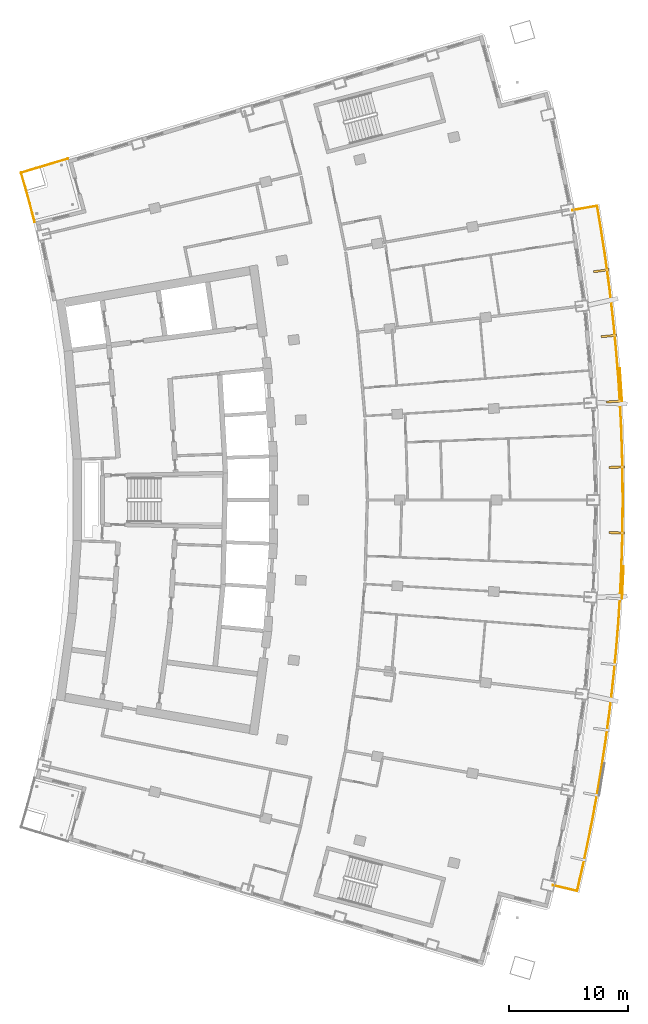
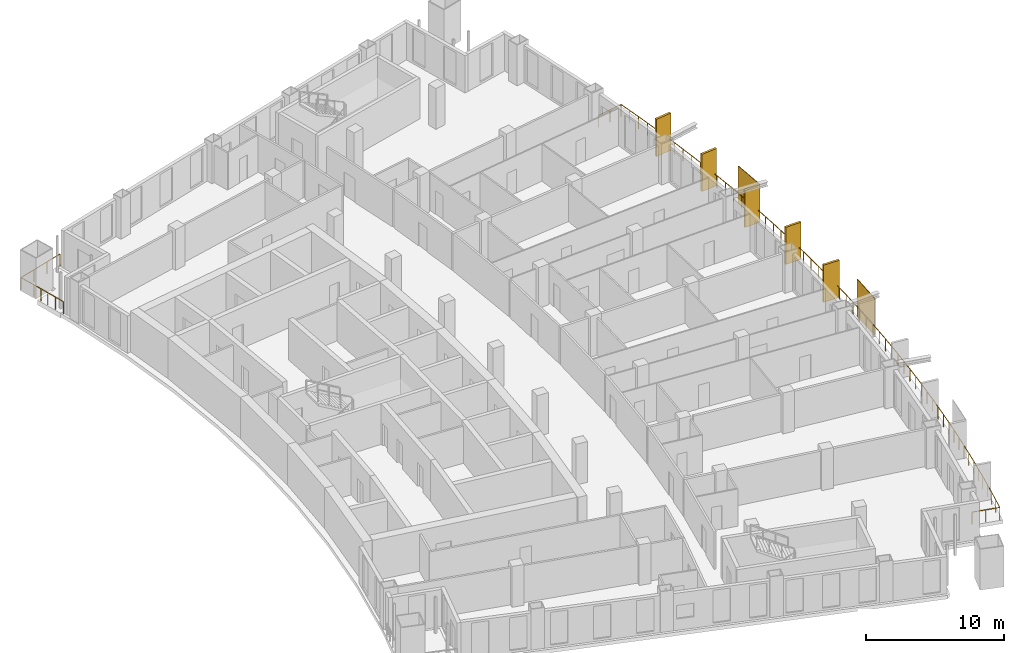
# One storey, part 19 of 20: 7 shading devices, 2 railings.
"""IFC4 building model written with IfcOpenShell, lengths in metres."""

from ifc_helpers import new_model, si_unit, direction, frame, origin, origin_2d, place, context, subcontext, project, spatial, rectangle, extrude, material, layer, layer_set, type_object, element, save


model = new_model("IFC4")

# Units and contexts
model_context = context("Model", 3, precision=1e-05, world=origin(), true_north=direction((0.0, 1.0)))
body_context = subcontext(model_context, "Body", "Model", "MODEL_VIEW")
ifc_project = project(units=[si_unit("LENGTHUNIT", "METRE"), si_unit("AREAUNIT", "SQUARE_METRE"), si_unit("VOLUMEUNIT", "CUBIC_METRE"), si_unit("PLANEANGLEUNIT", "RADIAN"), si_unit("MASSUNIT", "GRAM", prefix="KILO")], contexts=[model_context])

# Site, building, storey
site_placement = place(None, origin())
site = spatial("IfcSite", under=ifc_project, at=site_placement, CompositionType="ELEMENT")
building_placement = place(site_placement, origin())
building = spatial("IfcBuilding", under=site, at=building_placement, Name="Alderwake Tower", CompositionType="ELEMENT")
storey_placement = place(building_placement, frame((0.0, 0.0, 142.39990234375)))
storey = spatial("IfcBuildingStorey", under=building, at=storey_placement, Name="L34", CompositionType="ELEMENT", Elevation=142.39990234375)

# Railings
ifc_material_1 = material(Name="Stainless steel 316 rail and posts", Category="steel")
railing_type = type_object("IfcRailingType", Name="Balcony guard 1100", PredefinedType="GUARDRAIL", material=ifc_material_1)
railing_1_placement = place(storey_placement, frame((56.8125, 28.586181640625, 0.0)))
element("IfcRailing", 1, at=railing_1_placement, inside=storey, type_object=railing_type, Name="Guard BF03", PredefinedType="GUARDRAIL", context=body_context, shape_type="SweptSolid", body=[
    extrude(rectangle(XDim=0.048095703125, YDim=0.048095703125, at=origin_2d()), frame((0.0, 0.0, 1.076171875), z_axis=(0.973043917075, -0.230619893857, 0.0), x_axis=(0.230619893857, 0.973043917075, 0.0)), (0.0, 0.0, 1.0), 2.100341796875),
    extrude(rectangle(XDim=0.048095703125, YDim=0.048095703125, at=origin_2d()), frame((2.043701171875, -0.484375, 1.076171875), z_axis=(0.223671299969, 0.97466463441, 0.0), x_axis=(-0.97466463441, 0.223671299969, 0.0)), (0.0, 0.0, 1.0), 1.981201171875),
    extrude(rectangle(XDim=0.048095703125, YDim=0.048095703125, at=origin_2d()), frame((2.48681640625, 1.446533203125, 1.076171875), z_axis=(0.209881600891, 0.977726809292, 0.0), x_axis=(-0.977726809292, 0.209881600891, 0.0)), (0.0, 0.0, 1.0), 2.0810546875),
    extrude(rectangle(XDim=0.048095703125, YDim=0.048095703125, at=origin_2d()), frame((2.923583984375, 3.481201171875, 1.076171875), z_axis=(0.195687452224, 0.98066631483, 0.0), x_axis=(-0.98066631483, 0.195687452224, 0.0)), (0.0, 0.0, 1.0), 2.0810546875),
    extrude(rectangle(XDim=0.048095703125, YDim=0.048095703125, at=origin_2d()), frame((3.330810546875, 5.52197265625, 1.076171875), z_axis=(0.18124901902, 0.983437233942, 0.0), x_axis=(-0.983437233942, 0.18124901902, 0.0)), (0.0, 0.0, 1.0), 2.0810546875),
    extrude(rectangle(XDim=0.048095703125, YDim=0.048095703125, at=origin_2d()), frame((3.7080078125, 7.568603515625, 1.076171875), z_axis=(0.166947791992, 0.985965737107, 0.0), x_axis=(-0.985965737107, 0.166947791992, 0.0)), (0.0, 0.0, 1.0), 2.0810546875),
    extrude(rectangle(XDim=0.048095703125, YDim=0.048095703125, at=origin_2d()), frame((4.055419921875, 9.620361328125, 1.076171875), z_axis=(0.15251559628, 0.988301063893, 0.0), x_axis=(-0.988301063893, 0.15251559628, 0.0)), (0.0, 0.0, 1.0), 2.0810546875),
    extrude(rectangle(XDim=0.048095703125, YDim=0.048095703125, at=origin_2d()), frame((4.372802734375, 11.677001953125, 1.076171875), z_axis=(0.13807026034, 0.990422436746, 0.0), x_axis=(-0.990422436746, 0.13807026034, 0.0)), (0.0, 0.0, 1.0), 2.081298828125),
    extrude(rectangle(XDim=0.048095703125, YDim=0.048095703125, at=origin_2d()), frame((4.66015625, 13.73828125, 1.076171875), z_axis=(0.123659289538, 0.992324735211, 0.0), x_axis=(-0.992324735211, 0.123659289538, 0.0)), (0.0, 0.0, 1.0), 2.080810546875),
    extrude(rectangle(XDim=0.048095703125, YDim=0.048095703125, at=origin_2d()), frame((4.91748046875, 15.80322265625, 1.076171875), z_axis=(0.109105169011, 0.994030211862, 0.0), x_axis=(-0.994030211862, 0.109105169011, 0.0)), (0.0, 0.0, 1.0), 2.0810546875),
    extrude(rectangle(XDim=0.048095703125, YDim=0.048095703125, at=origin_2d()), frame((5.14453125, 17.871826171875, 1.076171875), z_axis=(0.094670690051, 0.995508644084, 0.0), x_axis=(-0.995508644084, 0.094670690051, 0.0)), (0.0, 0.0, 1.0), 2.0810546875),
    extrude(rectangle(XDim=0.048095703125, YDim=0.048095703125, at=origin_2d()), frame((5.341552734375, 19.943603515625, 1.076171875), z_axis=(0.080132254725, 0.996784240321, 0.0), x_axis=(-0.996784240321, 0.080132254725, 0.0)), (0.0, 0.0, 1.0), 2.080810546875),
    extrude(rectangle(XDim=0.048095703125, YDim=0.048095703125, at=origin_2d()), frame((5.50830078125, 22.017822265625, 1.076171875), z_axis=(0.065576859199, 0.997847521186, 0.0), x_axis=(-0.997847521186, 0.065576859199, 0.0)), (0.0, 0.0, 1.0), 2.0810546875),
    extrude(rectangle(XDim=0.048095703125, YDim=0.048095703125, at=origin_2d()), frame((5.644775390625, 24.094482421875, 1.076171875), z_axis=(0.051037720387, 0.998696726288, 0.0), x_axis=(-0.998696726288, 0.051037720387, 0.0)), (0.0, 0.0, 1.0), 2.080810546875),
    extrude(rectangle(XDim=0.048095703125, YDim=0.048095703125, at=origin_2d()), frame((5.7509765625, 26.172607421875, 1.076171875), z_axis=(0.036486606972, 0.999334142072, 0.0), x_axis=(-0.999334142072, 0.036486606972, 0.0)), (0.0, 0.0, 1.0), 2.0810546875),
    extrude(rectangle(XDim=0.048095703125, YDim=0.048095703125, at=origin_2d()), frame((5.826904296875, 28.252197265625, 1.076171875), z_axis=(0.021820665756, 0.999761900927, 0.0), x_axis=(-0.999761900927, 0.021820665756, 0.0)), (0.0, 0.0, 1.0), 2.0810546875),
    extrude(rectangle(XDim=0.048095703125, YDim=0.048095703125, at=origin_2d()), frame((5.872314453125, 30.332763671875, 1.076171875), z_axis=(0.007273388082, 0.999973548563, 0.0), x_axis=(-0.999973548563, 0.007273388082, 0.0)), (0.0, 0.0, 1.0), 2.0810546875),
    extrude(rectangle(XDim=0.048095703125, YDim=0.048095703125, at=origin_2d()), frame((5.887451171875, 32.413818359375, 1.076171875), z_axis=(-0.007273388082, 0.999973548563, 0.0), x_axis=(-0.999973548563, -0.007273388082, 0.0)), (0.0, 0.0, 1.0), 2.0810546875),
    extrude(rectangle(XDim=0.048095703125, YDim=0.048095703125, at=origin_2d()), frame((5.872314453125, 34.494873046875, 1.076171875), z_axis=(-0.021820665756, 0.999761900927, 0.0), x_axis=(-0.999761900927, -0.021820665756, 0.0)), (0.0, 0.0, 1.0), 2.0810546875),
    extrude(rectangle(XDim=0.048095703125, YDim=0.048095703125, at=origin_2d()), frame((5.826904296875, 36.575439453125, 1.076171875), z_axis=(-0.036486606972, 0.999334142072, 0.0), x_axis=(-0.999334142072, -0.036486606972, 0.0)), (0.0, 0.0, 1.0), 2.0810546875),
    extrude(rectangle(XDim=0.048095703125, YDim=0.048095703125, at=origin_2d()), frame((5.7509765625, 38.655029296875, 1.076171875), z_axis=(-0.051037720387, 0.998696726288, 0.0), x_axis=(-0.998696726288, -0.051037720387, 0.0)), (0.0, 0.0, 1.0), 2.080810546875),
    extrude(rectangle(XDim=0.048095703125, YDim=0.048095703125, at=origin_2d()), frame((5.644775390625, 40.733154296875, 1.076171875), z_axis=(-0.065576859199, 0.997847521186, 0.0), x_axis=(-0.997847521186, -0.065576859199, 0.0)), (0.0, 0.0, 1.0), 2.0810546875),
    extrude(rectangle(XDim=0.048095703125, YDim=0.048095703125, at=origin_2d()), frame((5.50830078125, 42.809814453125, 1.076171875), z_axis=(-0.080132254725, 0.996784240321, 0.0), x_axis=(-0.996784240321, -0.080132254725, 0.0)), (0.0, 0.0, 1.0), 2.080810546875),
    extrude(rectangle(XDim=0.048095703125, YDim=0.048095703125, at=origin_2d()), frame((5.341552734375, 44.884033203125, 1.076171875), z_axis=(-0.094670690051, 0.995508644084, 0.0), x_axis=(-0.995508644084, -0.094670690051, 0.0)), (0.0, 0.0, 1.0), 2.0810546875),
    extrude(rectangle(XDim=0.048095703125, YDim=0.048095703125, at=origin_2d()), frame((5.14453125, 46.955810546875, 1.076171875), z_axis=(-0.109105169011, 0.994030211862, 0.0), x_axis=(-0.994030211862, -0.109105169011, 0.0)), (0.0, 0.0, 1.0), 2.0810546875),
    extrude(rectangle(XDim=0.048095703125, YDim=0.048095703125, at=origin_2d()), frame((4.91748046875, 49.0244140625, 1.076171875), z_axis=(-0.123659289538, 0.992324735211, 0.0), x_axis=(-0.992324735211, -0.123659289538, 0.0)), (0.0, 0.0, 1.0), 2.080810546875),
    extrude(rectangle(XDim=0.048095703125, YDim=0.048095703125, at=origin_2d()), frame((4.66015625, 51.08935546875, 1.076171875), z_axis=(-0.13807026034, 0.990422436746, 0.0), x_axis=(-0.990422436746, -0.13807026034, 0.0)), (0.0, 0.0, 1.0), 2.081298828125),
    extrude(rectangle(XDim=0.048095703125, YDim=0.048095703125, at=origin_2d()), frame((4.372802734375, 53.150634765625, 1.076171875), z_axis=(-0.15251559628, 0.988301063893, 0.0), x_axis=(-0.988301063893, -0.15251559628, 0.0)), (0.0, 0.0, 1.0), 2.0810546875),
    extrude(rectangle(XDim=0.048095703125, YDim=0.048095703125, at=origin_2d()), frame((4.055419921875, 55.207275390625, 1.076171875), z_axis=(-0.166616843168, 0.986021717597, 0.0), x_axis=(-0.986021717597, -0.166616843168, 0.0)), (0.0, 0.0, 1.0), 1.98095703125),
    extrude(rectangle(XDim=0.048095703125, YDim=0.048095703125, at=origin_2d()), frame((3.725341796875, 57.16064453125, 1.076171875), z_axis=(-0.984840855066, -0.173460341844, 0.0), x_axis=(0.173460341844, -0.984840855066, 0.0)), (0.0, 0.0, 1.0), 2.099853515625),
    extrude(rectangle(XDim=0.0419921875, YDim=0.0419921875, at=origin_2d()), frame((0.0, 0.0, 0.0), z_axis=(0.0, 0.0, 1.0), x_axis=(0.973043917075, -0.230619893857, 0.0)), (0.0, 0.0, 1.0), 1.052001953125),
    extrude(rectangle(XDim=0.0419921875, YDim=0.0419921875, at=origin_2d()), frame((1.02197265625, -0.2421875, 0.0), z_axis=(0.0, 0.0, 1.0), x_axis=(0.973043917075, -0.230619893857, 0.0)), (0.0, 0.0, 1.0), 1.052001953125),
    extrude(rectangle(XDim=0.0419921875, YDim=0.0419921875, at=origin_2d()), frame((2.043701171875, -0.484375, 0.0), z_axis=(0.0, 0.0, 1.0), x_axis=(0.223671299969, 0.97466463441, 0.0)), (0.0, 0.0, 1.0), 1.052001953125),
    extrude(rectangle(XDim=0.0419921875, YDim=0.0419921875, at=origin_2d()), frame((2.26513671875, 0.48095703125, 0.0), z_axis=(0.0, 0.0, 1.0), x_axis=(0.223671299969, 0.97466463441, 0.0)), (0.0, 0.0, 1.0), 1.052001953125),
    extrude(rectangle(XDim=0.0419921875, YDim=0.0419921875, at=origin_2d()), frame((2.48681640625, 1.446533203125, 0.0), z_axis=(0.0, 0.0, 1.0), x_axis=(0.209881600891, 0.977726809292, 0.0)), (0.0, 0.0, 1.0), 1.052001953125),
    extrude(rectangle(XDim=0.0419921875, YDim=0.0419921875, at=origin_2d()), frame((2.705078125, 2.4638671875, 0.0), z_axis=(0.0, 0.0, 1.0), x_axis=(0.209881600891, 0.977726809292, 0.0)), (0.0, 0.0, 1.0), 1.052001953125),
    extrude(rectangle(XDim=0.0419921875, YDim=0.0419921875, at=origin_2d()), frame((2.923583984375, 3.481201171875, 0.0), z_axis=(0.0, 0.0, 1.0), x_axis=(0.195687452224, 0.98066631483, 0.0)), (0.0, 0.0, 1.0), 1.052001953125),
    extrude(rectangle(XDim=0.0419921875, YDim=0.0419921875, at=origin_2d()), frame((3.127197265625, 4.50146484375, 0.0), z_axis=(0.0, 0.0, 1.0), x_axis=(0.195687452224, 0.98066631483, 0.0)), (0.0, 0.0, 1.0), 1.052001953125),
    extrude(rectangle(XDim=0.0419921875, YDim=0.0419921875, at=origin_2d()), frame((3.330810546875, 5.52197265625, 0.0), z_axis=(0.0, 0.0, 1.0), x_axis=(0.18124901902, 0.983437233942, 0.0)), (0.0, 0.0, 1.0), 1.052001953125),
    extrude(rectangle(XDim=0.0419921875, YDim=0.0419921875, at=origin_2d()), frame((3.51953125, 6.54541015625, 0.0), z_axis=(0.0, 0.0, 1.0), x_axis=(0.18124901902, 0.983437233942, 0.0)), (0.0, 0.0, 1.0), 1.052001953125),
    extrude(rectangle(XDim=0.0419921875, YDim=0.0419921875, at=origin_2d()), frame((3.7080078125, 7.568603515625, 0.0), z_axis=(0.0, 0.0, 1.0), x_axis=(0.166947791992, 0.985965737107, 0.0)), (0.0, 0.0, 1.0), 1.052001953125),
    extrude(rectangle(XDim=0.0419921875, YDim=0.0419921875, at=origin_2d()), frame((3.8818359375, 8.594482421875, 0.0), z_axis=(0.0, 0.0, 1.0), x_axis=(0.166947791992, 0.985965737107, 0.0)), (0.0, 0.0, 1.0), 1.052001953125),
    extrude(rectangle(XDim=0.0419921875, YDim=0.0419921875, at=origin_2d()), frame((4.055419921875, 9.620361328125, 0.0), z_axis=(0.0, 0.0, 1.0), x_axis=(0.15251559628, 0.988301063893, 0.0)), (0.0, 0.0, 1.0), 1.052001953125),
    extrude(rectangle(XDim=0.0419921875, YDim=0.0419921875, at=origin_2d()), frame((4.214111328125, 10.648681640625, 0.0), z_axis=(0.0, 0.0, 1.0), x_axis=(0.15251559628, 0.988301063893, 0.0)), (0.0, 0.0, 1.0), 1.052001953125),
    extrude(rectangle(XDim=0.0419921875, YDim=0.0419921875, at=origin_2d()), frame((4.372802734375, 11.677001953125, 0.0), z_axis=(0.0, 0.0, 1.0), x_axis=(0.13807026034, 0.990422436746, 0.0)), (0.0, 0.0, 1.0), 1.052001953125),
    extrude(rectangle(XDim=0.0419921875, YDim=0.0419921875, at=origin_2d()), frame((4.5166015625, 12.70751953125, 0.0), z_axis=(0.0, 0.0, 1.0), x_axis=(0.13807026034, 0.990422436746, 0.0)), (0.0, 0.0, 1.0), 1.052001953125),
    extrude(rectangle(XDim=0.0419921875, YDim=0.0419921875, at=origin_2d()), frame((4.66015625, 13.73828125, 0.0), z_axis=(0.0, 0.0, 1.0), x_axis=(0.123659289538, 0.992324735211, 0.0)), (0.0, 0.0, 1.0), 1.052001953125),
    extrude(rectangle(XDim=0.0419921875, YDim=0.0419921875, at=origin_2d()), frame((4.788818359375, 14.770751953125, 0.0), z_axis=(0.0, 0.0, 1.0), x_axis=(0.123659289538, 0.992324735211, 0.0)), (0.0, 0.0, 1.0), 1.052001953125),
    extrude(rectangle(XDim=0.0419921875, YDim=0.0419921875, at=origin_2d()), frame((4.91748046875, 15.80322265625, 0.0), z_axis=(0.0, 0.0, 1.0), x_axis=(0.109105169011, 0.994030211862, 0.0)), (0.0, 0.0, 1.0), 1.052001953125),
    extrude(rectangle(XDim=0.0419921875, YDim=0.0419921875, at=origin_2d()), frame((5.031005859375, 16.83740234375, 0.0), z_axis=(0.0, 0.0, 1.0), x_axis=(0.109105169011, 0.994030211862, 0.0)), (0.0, 0.0, 1.0), 1.052001953125),
    extrude(rectangle(XDim=0.0419921875, YDim=0.0419921875, at=origin_2d()), frame((5.14453125, 17.871826171875, 0.0), z_axis=(0.0, 0.0, 1.0), x_axis=(0.094670690051, 0.995508644084, 0.0)), (0.0, 0.0, 1.0), 1.052001953125),
    extrude(rectangle(XDim=0.0419921875, YDim=0.0419921875, at=origin_2d()), frame((5.2431640625, 18.90771484375, 0.0), z_axis=(0.0, 0.0, 1.0), x_axis=(0.094670690051, 0.995508644084, 0.0)), (0.0, 0.0, 1.0), 1.052001953125),
    extrude(rectangle(XDim=0.0419921875, YDim=0.0419921875, at=origin_2d()), frame((5.341552734375, 19.943603515625, 0.0), z_axis=(0.0, 0.0, 1.0), x_axis=(0.080132254725, 0.996784240321, 0.0)), (0.0, 0.0, 1.0), 1.052001953125),
    extrude(rectangle(XDim=0.0419921875, YDim=0.0419921875, at=origin_2d()), frame((5.4248046875, 20.980712890625, 0.0), z_axis=(0.0, 0.0, 1.0), x_axis=(0.080132254725, 0.996784240321, 0.0)), (0.0, 0.0, 1.0), 1.052001953125),
    extrude(rectangle(XDim=0.0419921875, YDim=0.0419921875, at=origin_2d()), frame((5.50830078125, 22.017822265625, 0.0), z_axis=(0.0, 0.0, 1.0), x_axis=(0.065576859199, 0.997847521186, 0.0)), (0.0, 0.0, 1.0), 1.052001953125),
    extrude(rectangle(XDim=0.0419921875, YDim=0.0419921875, at=origin_2d()), frame((5.57666015625, 23.05615234375, 0.0), z_axis=(0.0, 0.0, 1.0), x_axis=(0.065576859199, 0.997847521186, 0.0)), (0.0, 0.0, 1.0), 1.052001953125),
    extrude(rectangle(XDim=0.0419921875, YDim=0.0419921875, at=origin_2d()), frame((5.644775390625, 24.094482421875, 0.0), z_axis=(0.0, 0.0, 1.0), x_axis=(0.051037720387, 0.998696726288, 0.0)), (0.0, 0.0, 1.0), 1.052001953125),
    extrude(rectangle(XDim=0.0419921875, YDim=0.0419921875, at=origin_2d()), frame((5.69775390625, 25.133544921875, 0.0), z_axis=(0.0, 0.0, 1.0), x_axis=(0.051037720387, 0.998696726288, 0.0)), (0.0, 0.0, 1.0), 1.052001953125),
    extrude(rectangle(XDim=0.0419921875, YDim=0.0419921875, at=origin_2d()), frame((5.7509765625, 26.172607421875, 0.0), z_axis=(0.0, 0.0, 1.0), x_axis=(0.036486606972, 0.999334142072, 0.0)), (0.0, 0.0, 1.0), 1.052001953125),
    extrude(rectangle(XDim=0.0419921875, YDim=0.0419921875, at=origin_2d()), frame((5.7890625, 27.21240234375, 0.0), z_axis=(0.0, 0.0, 1.0), x_axis=(0.036486606972, 0.999334142072, 0.0)), (0.0, 0.0, 1.0), 1.052001953125),
    extrude(rectangle(XDim=0.0419921875, YDim=0.0419921875, at=origin_2d()), frame((5.826904296875, 28.252197265625, 0.0), z_axis=(0.0, 0.0, 1.0), x_axis=(0.021820665756, 0.999761900927, 0.0)), (0.0, 0.0, 1.0), 1.052001953125),
    extrude(rectangle(XDim=0.0419921875, YDim=0.0419921875, at=origin_2d()), frame((5.849609375, 29.29248046875, 0.0), z_axis=(0.0, 0.0, 1.0), x_axis=(0.021820665756, 0.999761900927, 0.0)), (0.0, 0.0, 1.0), 1.052001953125),
    extrude(rectangle(XDim=0.0419921875, YDim=0.0419921875, at=origin_2d()), frame((5.872314453125, 30.332763671875, 0.0), z_axis=(0.0, 0.0, 1.0), x_axis=(0.007273388082, 0.999973548563, 0.0)), (0.0, 0.0, 1.0), 1.052001953125),
    extrude(rectangle(XDim=0.0419921875, YDim=0.0419921875, at=origin_2d()), frame((5.8798828125, 31.373291015625, 0.0), z_axis=(0.0, 0.0, 1.0), x_axis=(0.007273388082, 0.999973548563, 0.0)), (0.0, 0.0, 1.0), 1.052001953125),
    extrude(rectangle(XDim=0.0419921875, YDim=0.0419921875, at=origin_2d()), frame((5.887451171875, 32.413818359375, 0.0), z_axis=(0.0, 0.0, 1.0), x_axis=(-0.007273388082, 0.999973548563, 0.0)), (0.0, 0.0, 1.0), 1.052001953125),
    extrude(rectangle(XDim=0.0419921875, YDim=0.0419921875, at=origin_2d()), frame((5.8798828125, 33.454345703125, 0.0), z_axis=(0.0, 0.0, 1.0), x_axis=(-0.007273388082, 0.999973548563, 0.0)), (0.0, 0.0, 1.0), 1.052001953125),
    extrude(rectangle(XDim=0.0419921875, YDim=0.0419921875, at=origin_2d()), frame((5.872314453125, 34.494873046875, 0.0), z_axis=(0.0, 0.0, 1.0), x_axis=(-0.021820665756, 0.999761900927, 0.0)), (0.0, 0.0, 1.0), 1.052001953125),
    extrude(rectangle(XDim=0.0419921875, YDim=0.0419921875, at=origin_2d()), frame((5.849609375, 35.53515625, 0.0), z_axis=(0.0, 0.0, 1.0), x_axis=(-0.021820665756, 0.999761900927, 0.0)), (0.0, 0.0, 1.0), 1.052001953125),
    extrude(rectangle(XDim=0.0419921875, YDim=0.0419921875, at=origin_2d()), frame((5.826904296875, 36.575439453125, 0.0), z_axis=(0.0, 0.0, 1.0), x_axis=(-0.036486606972, 0.999334142072, 0.0)), (0.0, 0.0, 1.0), 1.052001953125),
    extrude(rectangle(XDim=0.0419921875, YDim=0.0419921875, at=origin_2d()), frame((5.7890625, 37.615234375, 0.0), z_axis=(0.0, 0.0, 1.0), x_axis=(-0.036486606972, 0.999334142072, 0.0)), (0.0, 0.0, 1.0), 1.052001953125),
    extrude(rectangle(XDim=0.0419921875, YDim=0.0419921875, at=origin_2d()), frame((5.7509765625, 38.655029296875, 0.0), z_axis=(0.0, 0.0, 1.0), x_axis=(-0.051037720387, 0.998696726288, 0.0)), (0.0, 0.0, 1.0), 1.052001953125),
    extrude(rectangle(XDim=0.0419921875, YDim=0.0419921875, at=origin_2d()), frame((5.69775390625, 39.694091796875, 0.0), z_axis=(0.0, 0.0, 1.0), x_axis=(-0.051037720387, 0.998696726288, 0.0)), (0.0, 0.0, 1.0), 1.052001953125),
    extrude(rectangle(XDim=0.0419921875, YDim=0.0419921875, at=origin_2d()), frame((5.644775390625, 40.733154296875, 0.0), z_axis=(0.0, 0.0, 1.0), x_axis=(-0.065576859199, 0.997847521186, 0.0)), (0.0, 0.0, 1.0), 1.052001953125),
    extrude(rectangle(XDim=0.0419921875, YDim=0.0419921875, at=origin_2d()), frame((5.57666015625, 41.771484375, 0.0), z_axis=(0.0, 0.0, 1.0), x_axis=(-0.065576859199, 0.997847521186, 0.0)), (0.0, 0.0, 1.0), 1.052001953125),
    extrude(rectangle(XDim=0.0419921875, YDim=0.0419921875, at=origin_2d()), frame((5.50830078125, 42.809814453125, 0.0), z_axis=(0.0, 0.0, 1.0), x_axis=(-0.080132254725, 0.996784240321, 0.0)), (0.0, 0.0, 1.0), 1.052001953125),
    extrude(rectangle(XDim=0.0419921875, YDim=0.0419921875, at=origin_2d()), frame((5.4248046875, 43.846923828125, 0.0), z_axis=(0.0, 0.0, 1.0), x_axis=(-0.080132254725, 0.996784240321, 0.0)), (0.0, 0.0, 1.0), 1.052001953125),
    extrude(rectangle(XDim=0.0419921875, YDim=0.0419921875, at=origin_2d()), frame((5.341552734375, 44.884033203125, 0.0), z_axis=(0.0, 0.0, 1.0), x_axis=(-0.094670690051, 0.995508644084, 0.0)), (0.0, 0.0, 1.0), 1.052001953125),
    extrude(rectangle(XDim=0.0419921875, YDim=0.0419921875, at=origin_2d()), frame((5.2431640625, 45.919921875, 0.0), z_axis=(0.0, 0.0, 1.0), x_axis=(-0.094670690051, 0.995508644084, 0.0)), (0.0, 0.0, 1.0), 1.052001953125),
    extrude(rectangle(XDim=0.0419921875, YDim=0.0419921875, at=origin_2d()), frame((5.14453125, 46.955810546875, 0.0), z_axis=(0.0, 0.0, 1.0), x_axis=(-0.109105169011, 0.994030211862, 0.0)), (0.0, 0.0, 1.0), 1.052001953125),
    extrude(rectangle(XDim=0.0419921875, YDim=0.0419921875, at=origin_2d()), frame((5.031005859375, 47.990234375, 0.0), z_axis=(0.0, 0.0, 1.0), x_axis=(-0.109105169011, 0.994030211862, 0.0)), (0.0, 0.0, 1.0), 1.052001953125),
    extrude(rectangle(XDim=0.0419921875, YDim=0.0419921875, at=origin_2d()), frame((4.91748046875, 49.0244140625, 0.0), z_axis=(0.0, 0.0, 1.0), x_axis=(-0.123659289538, 0.992324735211, 0.0)), (0.0, 0.0, 1.0), 1.052001953125),
    extrude(rectangle(XDim=0.0419921875, YDim=0.0419921875, at=origin_2d()), frame((4.788818359375, 50.056884765625, 0.0), z_axis=(0.0, 0.0, 1.0), x_axis=(-0.123659289538, 0.992324735211, 0.0)), (0.0, 0.0, 1.0), 1.052001953125),
    extrude(rectangle(XDim=0.0419921875, YDim=0.0419921875, at=origin_2d()), frame((4.66015625, 51.08935546875, 0.0), z_axis=(0.0, 0.0, 1.0), x_axis=(-0.13807026034, 0.990422436746, 0.0)), (0.0, 0.0, 1.0), 1.052001953125),
    extrude(rectangle(XDim=0.0419921875, YDim=0.0419921875, at=origin_2d()), frame((4.5166015625, 52.1201171875, 0.0), z_axis=(0.0, 0.0, 1.0), x_axis=(-0.13807026034, 0.990422436746, 0.0)), (0.0, 0.0, 1.0), 1.052001953125),
    extrude(rectangle(XDim=0.0419921875, YDim=0.0419921875, at=origin_2d()), frame((4.372802734375, 53.150634765625, 0.0), z_axis=(0.0, 0.0, 1.0), x_axis=(-0.15251559628, 0.988301063893, 0.0)), (0.0, 0.0, 1.0), 1.052001953125),
    extrude(rectangle(XDim=0.0419921875, YDim=0.0419921875, at=origin_2d()), frame((4.214111328125, 54.178955078125, 0.0), z_axis=(0.0, 0.0, 1.0), x_axis=(-0.15251559628, 0.988301063893, 0.0)), (0.0, 0.0, 1.0), 1.052001953125),
    extrude(rectangle(XDim=0.0419921875, YDim=0.0419921875, at=origin_2d()), frame((4.055419921875, 55.207275390625, 0.0), z_axis=(0.0, 0.0, 1.0), x_axis=(-0.166616843168, 0.986021717597, 0.0)), (0.0, 0.0, 1.0), 1.052001953125),
    extrude(rectangle(XDim=0.0419921875, YDim=0.0419921875, at=origin_2d()), frame((3.890380859375, 56.18408203125, 0.0), z_axis=(0.0, 0.0, 1.0), x_axis=(-0.166616843168, 0.986021717597, 0.0)), (0.0, 0.0, 1.0), 1.052001953125),
    extrude(rectangle(XDim=0.0419921875, YDim=0.0419921875, at=origin_2d()), frame((3.725341796875, 57.16064453125, 0.0), z_axis=(0.0, 0.0, 1.0), x_axis=(-0.984840855066, -0.173460341844, 0.0)), (0.0, 0.0, 1.0), 1.052001953125),
    extrude(rectangle(XDim=0.0419921875, YDim=0.0419921875, at=origin_2d()), frame((2.69140625, 56.978515625, 0.0), z_axis=(0.0, 0.0, 1.0), x_axis=(-0.984840855066, -0.173460341844, 0.0)), (0.0, 0.0, 1.0), 1.052001953125),
    extrude(rectangle(XDim=0.0419921875, YDim=0.0419921875, at=origin_2d()), frame((1.6572265625, 56.79638671875, 0.0), z_axis=(0.0, 0.0, 1.0), x_axis=(-0.984840855066, -0.173460341844, 0.0)), (0.0, 0.0, 1.0), 1.052001953125),
])
railing_2_placement = place(storey_placement, frame((13.210693359375, 84.387451171875, 0.0)))
element("IfcRailing", 2, at=railing_2_placement, inside=storey, type_object=railing_type, Name="Guard terrace RN", PredefinedType="GUARDRAIL", context=body_context, shape_type="SweptSolid", body=[
    extrude(rectangle(XDim=0.048095703125, YDim=0.048095703125, at=origin_2d()), frame((0.0, 0.0, 1.076171875), z_axis=(-0.251385381433, 0.967887075026, 0.0), x_axis=(-0.967887075026, -0.251385381433, 0.0)), (0.0, 0.0, 1.0), 1.6015625),
    extrude(rectangle(XDim=0.048095703125, YDim=0.048095703125, at=origin_2d()), frame((-0.402587890625, 1.550048828125, 1.076171875), z_axis=(-0.266520638672, 0.963829211615, 0.0), x_axis=(-0.963829211615, -0.266520638672, 0.0)), (0.0, 0.0, 1.0), 1.401611328125),
    extrude(rectangle(XDim=0.048095703125, YDim=0.048095703125, at=origin_2d()), frame((-0.776123046875, 2.90087890625, 1.076171875), z_axis=(-0.280093650878, 0.959972680204, 0.0), x_axis=(-0.959972680204, -0.280093650878, 0.0)), (0.0, 0.0, 1.0), 1.30126953125),
    extrude(rectangle(XDim=0.048095703125, YDim=0.048095703125, at=origin_2d()), frame((-1.140625, 4.150146484375, 1.076171875), z_axis=(0.958066871889, 0.286544706789, 0.0), x_axis=(-0.286544706789, 0.958066871889, 0.0)), (0.0, 0.0, 1.0), 4.099853515625),
    extrude(rectangle(XDim=0.0419921875, YDim=0.0419921875, at=origin_2d()), frame((0.0, 0.0, 0.0), z_axis=(0.0, 0.0, 1.0), x_axis=(-0.251385381433, 0.967887075026, 0.0)), (0.0, 0.0, 1.0), 1.052001953125),
    extrude(rectangle(XDim=0.0419921875, YDim=0.0419921875, at=origin_2d()), frame((-0.201171875, 0.77490234375, 0.0), z_axis=(0.0, 0.0, 1.0), x_axis=(-0.251385381433, 0.967887075026, 0.0)), (0.0, 0.0, 1.0), 1.052001953125),
    extrude(rectangle(XDim=0.0419921875, YDim=0.0419921875, at=origin_2d()), frame((-0.402587890625, 1.550048828125, 0.0), z_axis=(0.0, 0.0, 1.0), x_axis=(-0.266520638672, 0.963829211615, 0.0)), (0.0, 0.0, 1.0), 1.052001953125),
    extrude(rectangle(XDim=0.0419921875, YDim=0.0419921875, at=origin_2d()), frame((-0.58935546875, 2.2255859375, 0.0), z_axis=(0.0, 0.0, 1.0), x_axis=(-0.266520638672, 0.963829211615, 0.0)), (0.0, 0.0, 1.0), 1.052001953125),
    extrude(rectangle(XDim=0.0419921875, YDim=0.0419921875, at=origin_2d()), frame((-0.776123046875, 2.90087890625, 0.0), z_axis=(0.0, 0.0, 1.0), x_axis=(-0.280093650878, 0.959972680204, 0.0)), (0.0, 0.0, 1.0), 1.052001953125),
    extrude(rectangle(XDim=0.0419921875, YDim=0.0419921875, at=origin_2d()), frame((-1.140625, 4.150146484375, 0.0), z_axis=(0.0, 0.0, 1.0), x_axis=(0.958066871889, 0.286544706789, 0.0)), (0.0, 0.0, 1.0), 1.052001953125),
    extrude(rectangle(XDim=0.0419921875, YDim=0.0419921875, at=origin_2d()), frame((0.168701171875, 4.541748046875, 0.0), z_axis=(0.0, 0.0, 1.0), x_axis=(0.958066871889, 0.286544706789, 0.0)), (0.0, 0.0, 1.0), 1.052001953125),
    extrude(rectangle(XDim=0.0419921875, YDim=0.0419921875, at=origin_2d()), frame((1.47802734375, 4.933349609375, 0.0), z_axis=(0.0, 0.0, 1.0), x_axis=(0.958066871889, 0.286544706789, 0.0)), (0.0, 0.0, 1.0), 1.052001953125),
    extrude(rectangle(XDim=0.0419921875, YDim=0.0419921875, at=origin_2d()), frame((2.787353515625, 5.324951171875, 0.0), z_axis=(0.0, 0.0, 1.0), x_axis=(0.958066871889, 0.286544706789, 0.0)), (0.0, 0.0, 1.0), 1.052001953125),
])

# Shading devices
ifc_material_2 = material(Name="Bronze anodised aluminium", Category="aluminium")
ifc_layer_1 = layer(ifc_material_2, 0.179931640625)
ifc_layer_set_1 = layer_set([ifc_layer_1], Name="Facade fin 1300")
shading_device_type_1 = type_object("IfcShadingDeviceType", Name="Facade fin 1300", PredefinedType="USERDEFINED", material=ifc_layer_set_1)
for number, where, z_axis, x_axis, name in (
    (3, (62.173095703125, 58.241455078125, 0.0), (0.0, 0.0, 1.0), (0.999811838809, -0.019398117887, 0.0), "Fin"),
    (4, (62.173095703125, 63.758544921875, 0.0), (0.0, 0.0, 1.0), (0.999811838809, 0.019398117887, 0.0), "Fin"),
    (5, (61.95849609375, 69.28564453125, 0.0), (0.0, 0.0, 1.0), (0.998301080988, 0.058266214038, 0.0), "Fin"),
    (6, (61.52880859375, 74.800048828125, 0.0), (0.0, 0.0, 1.0), (0.995279882363, 0.097046152751, 0.0), "Fin"),
    (7, (60.885009765625, 80.293701171875, 0.0), (0.0, 0.0, 1.0), (0.990752577235, 0.135680988728, 0.0), "Fin"),
):
    element("IfcShadingDevice", number, at=place(storey_placement, frame(where, z_axis=z_axis, x_axis=x_axis)), inside=storey, type_object=shading_device_type_1, Name=name, ObjectType="FIN", PredefinedType="USERDEFINED", context=body_context, shape_type="SweptSolid", body=[
        extrude(rectangle(XDim=1.300048828125, YDim=0.179931640625, at=origin_2d()), origin(), (0.0, 0.0, 1.0), 3.280029296875),
    ])
ifc_material_3 = material(Name="Perforated bronze anodised aluminium", Category="aluminium")
ifc_layer_2 = layer(ifc_material_3, 0.050048828125)
ifc_layer_set_2 = layer_set([ifc_layer_2], Name="Perforated screen panel")
shading_device_type_2 = type_object("IfcShadingDeviceType", Name="Perforated screen panel", PredefinedType="USERDEFINED", material=ifc_layer_set_2)
shading_device_1_placement = place(storey_placement, frame((62.69970703125, 54.059326171875, 0.0), z_axis=(0.0, 0.0, 1.0), x_axis=(0.998819231138, -0.048581308217, 0.0)))
element("IfcShadingDevice", 8, at=shading_device_1_placement, inside=storey, type_object=shading_device_type_2, Name="Screen panel", ObjectType="SCREEN", PredefinedType="USERDEFINED", context=body_context, shape_type="SweptSolid", body=[
    extrude(rectangle(XDim=0.050048828125, YDim=2.771728515625, at=origin_2d()), origin(), (0.0, 0.0, 1.0), 3.280029296875),
])
shading_device_2_placement = place(storey_placement, frame((62.53759765625, 70.714599609375, 0.0), z_axis=(0.0, 0.0, 1.0), x_axis=(0.997685465774, 0.067997877779, 0.0)))
element("IfcShadingDevice", 9, at=shading_device_2_placement, inside=storey, type_object=shading_device_type_2, Name="Screen panel", ObjectType="SCREEN", PredefinedType="USERDEFINED", context=body_context, shape_type="SweptSolid", body=[
    extrude(rectangle(XDim=0.050048828125, YDim=2.785888671875, at=origin_2d()), origin(), (0.0, 0.0, 1.0), 3.280029296875),
])

save(model, "model.ifc")
